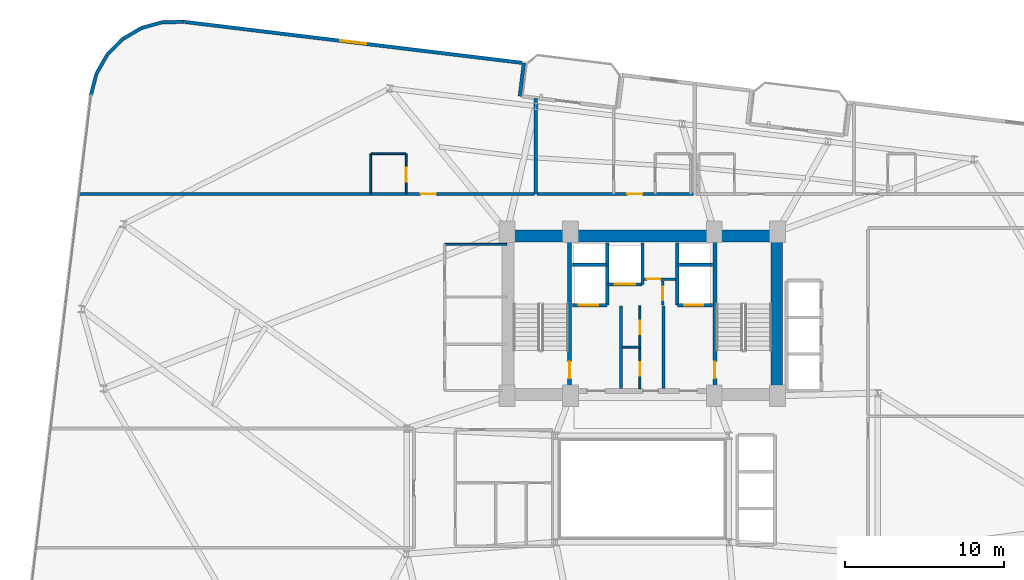
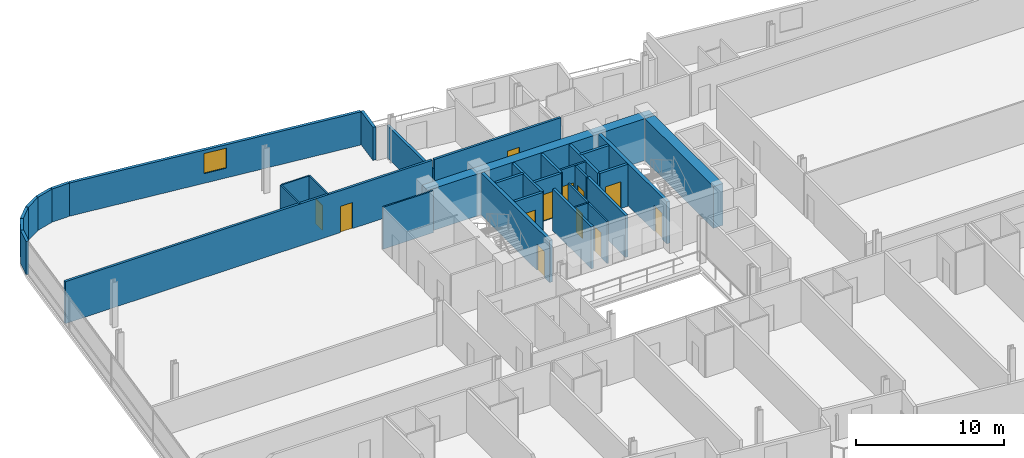
# One storey, part 22 of 26: 33 walls, 12 doors, 1 window, 13 openings.
"""IFC4 building model written with IfcOpenShell, lengths in metres."""

from ifc_helpers import new_model, si_unit, direction, frame, frame_2d, origin, place, context, subcontext, project, spatial, rectangle, extrude, material, layer, layer_set, type_object, element, fill, save


model = new_model("IFC4")

# Units and contexts
model_context = context("Model", 3, precision=1e-05, world=origin(), true_north=direction((0.0, 1.0)))
body_context = subcontext(model_context, "Body", "Model", "MODEL_VIEW")
ifc_project = project(units=[si_unit("LENGTHUNIT", "METRE"), si_unit("AREAUNIT", "SQUARE_METRE"), si_unit("VOLUMEUNIT", "CUBIC_METRE"), si_unit("PLANEANGLEUNIT", "RADIAN"), si_unit("MASSUNIT", "GRAM", prefix="KILO")], contexts=[model_context])

# Site, building, storey
site_placement = place(None, origin())
site = spatial("IfcSite", under=ifc_project, at=site_placement, CompositionType="ELEMENT")
building_placement = place(site_placement, origin())
building = spatial("IfcBuilding", under=site, at=building_placement, Name="Varnelok Gate Tower", CompositionType="ELEMENT")
storey_placement = place(building_placement, frame((0.0, 0.0, 125.39990234375)))
storey = spatial("IfcBuildingStorey", under=building, at=storey_placement, Name="L31", CompositionType="ELEMENT", Elevation=125.39990234375)

# Wall
ifc_material_1 = material(Name="Concrete C45/55", Category="concrete")
ifc_layer_1 = layer(ifc_material_1, 0.219970703125)
ifc_layer_set_1 = layer_set([ifc_layer_1], Name="Concrete C45/55")
wall_type_1 = type_object("IfcWallType", Name="EW-BALC-220", PredefinedType="SOLIDWALL", material=ifc_layer_set_1)
wall_1_placement = place(storey_placement, frame((31.50390625, 47.568115234375, 0.0), z_axis=(0.0, 0.0, 1.0), x_axis=(0.120341784665, 0.992732519294, 0.0)))
element("IfcWall", 1, at=wall_1_placement, inside=storey, type_object=wall_type_1, Name="L31 Perimeter Facade Closure Wall 31", PredefinedType="SOLIDWALL", context=body_context, shape_type="SweptSolid", body=[
    extrude(rectangle(XDim=2.099853515625, YDim=0.219970703125, at=frame_2d((1.0498046875, 0.0))), origin(), (0.0, 0.0, 1.0), 2.72998046875),
])

# Wall, opening, window
wall_2_placement = place(storey_placement, frame((31.632568359375, 49.667724609375, 0.0), z_axis=(0.0, 0.0, 1.0), x_axis=(-0.992731670483, 0.120348786531, 0.0)))
wall_2 = element("IfcWall", 2, at=wall_2_placement, inside=storey, type_object=wall_type_1, Name="L31 Perimeter Facade Closure Wall 32", PredefinedType="SOLIDWALL", context=body_context, shape_type="SweptSolid", body=[
    extrude(rectangle(XDim=21.34716796875, YDim=0.219970703125, at=frame_2d((10.673583984375, 0.0))), origin(), (0.0, 0.0, 1.0), 2.72998046875),
])
opening_1_placement = place(wall_2_placement, frame((9.8486328125, 0.0, 0.800048828125)))
opening_1 = element("IfcOpeningElement", 3, at=opening_1_placement, cuts=wall_2, Name="Opening WN3", PredefinedType="OPENING", context=body_context, shape_type="SweptSolid", body=[
    extrude(rectangle(XDim=1.64990234375, YDim=1.64990234375, at=frame_2d((0.824951171875, 0.824951171875))), frame((0.0, 0.119873046875, 0.0), z_axis=(0.0, -1.0, 0.0), x_axis=(1.0, 0.0, 0.0)), (0.0, 0.0, 1.0), 0.239990234375),
])
ifc_material_2 = material(Name="Low-E Laminated Double Glazing IGU", Category="glass")
window_type = type_object("IfcWindowType", Name="WN-HTL-1650", PartitioningType="SINGLE_PANEL", PredefinedType="WINDOW", material=ifc_material_2)
window_placement = place(opening_1_placement, origin())
window = element("IfcWindow", 4, at=window_placement, inside=storey, type_object=window_type, Name="L31 Perimeter Vision Window 32", OverallHeight=1.64990234375, OverallWidth=1.64990234375, PartitioningType="SINGLE_PANEL", PredefinedType="WINDOW", context=body_context, shape_type="SweptSolid", body=[
    extrude(rectangle(XDim=1.64990234375, YDim=1.64990234375, at=frame_2d((0.824951171875, 0.824951171875))), frame((0.0, 0.030029296875, 0.0), z_axis=(0.0, -1.0, 0.0), x_axis=(1.0, 0.0, 0.0)), (0.0, 0.0, 1.0), 0.06005859375),
])
fill(opening_1, window)

# Walls
wall_3_placement = place(storey_placement, frame((10.41552734375, 52.236572265625, 0.0), z_axis=(0.0, 0.0, 1.0), x_axis=(-0.999947718056, -0.010225514878, 0.0)))
element("IfcWall", 5, at=wall_3_placement, inside=storey, type_object=wall_type_1, Name="L31 Perimeter Facade Closure Wall 33", PredefinedType="SOLIDWALL", context=body_context, shape_type="SweptSolid", body=[
    extrude(rectangle(XDim=1.36083984375, YDim=0.219970703125, at=frame_2d((0.680419921875, 0.0))), origin(), (0.0, 0.0, 1.0), 2.72998046875),
])
for number, where, z_axis, x_axis, name in (
    (6, (9.030517578125, 52.2158203125, 0.0), (0.0, 0.0, 1.0), (-0.963227802828, -0.268686061898, 0.0), "L31 Perimeter Facade Closure Wall 34"),
    (7, (7.70556640625, 51.839599609375, 0.0), (0.0, 0.0, 1.0), (-0.860739665837, -0.509045408244, 0.0), "L31 Perimeter Facade Closure Wall 35"),
):
    element("IfcWall", number, at=place(storey_placement, frame(where, z_axis=z_axis, x_axis=x_axis)), inside=storey, type_object=wall_type_1, Name=name, PredefinedType="SOLIDWALL", context=body_context, shape_type="SweptSolid", body=[
        extrude(rectangle(XDim=1.35302734375, YDim=0.219970703125, at=frame_2d((0.676513671875, 0.0))), origin(), (0.0, 0.0, 1.0), 2.72998046875),
    ])
wall_4_placement = place(storey_placement, frame((6.5234375, 51.13330078125, 0.0), z_axis=(0.0, 0.0, 1.0), x_axis=(-0.699762925925, -0.714375144795, 0.0)))
element("IfcWall", 8, at=wall_4_placement, inside=storey, type_object=wall_type_1, Name="L31 Perimeter Facade Closure Wall 36", PredefinedType="SOLIDWALL", context=body_context, shape_type="SweptSolid", body=[
    extrude(rectangle(XDim=1.353271484375, YDim=0.219970703125, at=frame_2d((0.6767578125, 0.0))), origin(), (0.0, 0.0, 1.0), 2.72998046875),
])
wall_5_placement = place(storey_placement, frame((5.564208984375, 50.144775390625, 0.0), z_axis=(0.0, 0.0, 1.0), x_axis=(-0.491117621399, -0.871093268227, 0.0)))
element("IfcWall", 9, at=wall_5_placement, inside=storey, type_object=wall_type_1, Name="L31 Perimeter Facade Closure Wall 37", PredefinedType="SOLIDWALL", context=body_context, shape_type="SweptSolid", body=[
    extrude(rectangle(XDim=1.35302734375, YDim=0.219970703125, at=frame_2d((0.676513671875, 0.0))), origin(), (0.0, 0.0, 1.0), 2.72998046875),
])
wall_6_placement = place(storey_placement, frame((4.8935546875, 48.94189453125, 0.0), z_axis=(0.0, 0.0, 1.0), x_axis=(-0.248857256909, -0.968540172468, 0.0)))
element("IfcWall", 10, at=wall_6_placement, inside=storey, type_object=wall_type_1, Name="L31 Perimeter Facade Closure Wall 38", PredefinedType="SOLIDWALL", context=body_context, shape_type="SweptSolid", body=[
    extrude(rectangle(XDim=1.352783203125, YDim=0.219970703125, at=frame_2d((0.67626953125, 0.0))), origin(), (0.0, 0.0, 1.0), 2.72998046875),
])

# Wall, opening, door
ifc_material_3 = material(Name="Gypsum Plasterboard Acoustic Partition", Category="gypsum")
ifc_layer_2 = layer(ifc_material_3, 0.179931640625)
ifc_layer_set_2 = layer_set([ifc_layer_2], Name="Gypsum Plasterboard Acoustic Partition")
wall_type_2 = type_object("IfcWallType", Name="PW-CORR-180", PredefinedType="PARTITIONING", material=ifc_layer_set_2)
wall_7_placement = place(storey_placement, frame((3.864013671875, 41.429931640625, 0.0), z_axis=(0.0, 0.0, 1.0), x_axis=(1.0, 0.0, 0.0)))
wall_7 = element("IfcWall", 11, at=wall_7_placement, inside=storey, type_object=wall_type_2, Name="Interior Partition", PredefinedType="PARTITIONING", context=body_context, shape_type="SweptSolid", body=[
    extrude(rectangle(XDim=28.555908203125, YDim=0.179931640625, at=frame_2d((14.27783203125, 0.0))), origin(), (0.0, 0.0, 1.0), 3.4501953125),
])
opening_2_placement = place(wall_7_placement, frame((21.4091796875, 0.0, 0.0)))
opening_2 = element("IfcOpeningElement", 12, at=opening_2_placement, cuts=wall_7, Name="Opening D-HT", PredefinedType="OPENING", context=body_context, shape_type="SweptSolid", body=[
    extrude(rectangle(XDim=0.949951171875, YDim=2.14990234375, at=frame_2d((0.47509765625, 1.074951171875))), frame((0.0, 0.099853515625, 0.0), z_axis=(0.0, -1.0, 0.0), x_axis=(1.0, 0.0, 0.0)), (0.0, 0.0, 1.0), 0.199951171875),
])
ifc_material_4 = material(Name="Engineered Hardwood Timber", Category="wood")
door_type_1 = type_object("IfcDoorType", Name="DR-HTL-950", OperationType="NOTDEFINED", PredefinedType="DOOR", material=ifc_material_4)
door_1_placement = place(opening_2_placement, origin())
door_1 = element("IfcDoor", 13, at=door_1_placement, inside=storey, type_object=door_type_1, Name="L31 Guest Room 10 Entrance Door", OperationType="SINGLE_SWING_LEFT", OverallHeight=2.14990234375, OverallWidth=0.949951171875, PredefinedType="DOOR", context=body_context, shape_type="SweptSolid", body=[
    extrude(rectangle(XDim=0.949951171875, YDim=2.14990234375, at=frame_2d((0.47509765625, 1.074951171875))), frame((0.0, 0.02490234375, 0.0), z_axis=(0.0, -1.0, 0.0), x_axis=(1.0, 0.0, 0.0)), (0.0, 0.0, 1.0), 0.050048828125),
])
fill(opening_2, door_1)

wall_8_placement = place(storey_placement, frame((32.580078125, 41.429931640625, 0.0), z_axis=(0.0, 0.0, 1.0), x_axis=(1.0, 0.0, 0.0)))
wall_8 = element("IfcWall", 14, at=wall_8_placement, inside=storey, type_object=wall_type_2, Name="Interior Partition", PredefinedType="PARTITIONING", context=body_context, shape_type="SweptSolid", body=[
    extrude(rectangle(XDim=9.83984375, YDim=0.179931640625, at=frame_2d((4.919921875, 0.0))), origin(), (0.0, 0.0, 1.0), 3.4501953125),
])
opening_3_placement = place(wall_8_placement, frame((5.679931640625, 0.0, 0.0)))
opening_3 = element("IfcOpeningElement", 15, at=opening_3_placement, cuts=wall_8, Name="Opening D-HT", PredefinedType="OPENING", context=body_context, shape_type="SweptSolid", body=[
    extrude(rectangle(XDim=0.949951171875, YDim=2.14990234375, at=frame_2d((0.47509765625, 1.074951171875))), frame((0.0, 0.099853515625, 0.0), z_axis=(0.0, -1.0, 0.0), x_axis=(1.0, 0.0, 0.0)), (0.0, 0.0, 1.0), 0.199951171875),
])
door_2_placement = place(opening_3_placement, origin())
door_2 = element("IfcDoor", 16, at=door_2_placement, inside=storey, type_object=door_type_1, Name="L31 Guest Room 11 Entrance Door", OperationType="SINGLE_SWING_RIGHT", OverallHeight=2.14990234375, OverallWidth=0.949951171875, PredefinedType="DOOR", context=body_context, shape_type="SweptSolid", body=[
    extrude(rectangle(XDim=0.949951171875, YDim=2.14990234375, at=frame_2d((0.47509765625, 1.074951171875))), frame((0.0, 0.02490234375, 0.0), z_axis=(0.0, -1.0, 0.0), x_axis=(1.0, 0.0, 0.0)), (0.0, 0.0, 1.0), 0.050048828125),
])
fill(opening_3, door_2)

# Wall
ifc_layer_3 = layer(ifc_material_3, 0.114990234375)
ifc_layer_set_3 = layer_set([ifc_layer_3], Name="Gypsum Plasterboard Acoustic Partition")
wall_type_3 = type_object("IfcWallType", Name="PW-ENS-125", PredefinedType="PARTITIONING", material=ifc_layer_set_3)
wall_9_placement = place(storey_placement, frame((22.179931640625, 43.949951171875, 0.0), z_axis=(0.0, 0.0, 1.0), x_axis=(1.0, 0.0, 0.0)))
element("IfcWall", 17, at=wall_9_placement, inside=storey, type_object=wall_type_3, Name="Interior Partition", PredefinedType="PARTITIONING", context=body_context, shape_type="SweptSolid", body=[
    extrude(rectangle(XDim=2.150146484375, YDim=0.114990234375, at=frame_2d((1.0751953125, 0.0))), origin(), (0.0, 0.0, 1.0), 3.4501953125),
])

# Wall, opening, door
wall_10_placement = place(storey_placement, frame((24.3701171875, 41.429931640625, 0.0), z_axis=(0.0, 0.0, 1.0), x_axis=(0.0, 1.0, 0.0)))
wall_10 = element("IfcWall", 18, at=wall_10_placement, inside=storey, type_object=wall_type_3, Name="Interior Partition", PredefinedType="PARTITIONING", context=body_context, shape_type="SweptSolid", body=[
    extrude(rectangle(XDim=2.52001953125, YDim=0.114990234375, at=frame_2d((1.260009765625, 0.0))), origin(), (0.0, 0.0, 1.0), 3.4501953125),
])
opening_4_placement = place(wall_10_placement, frame((0.760009765625, 0.0, 0.0)))
opening_4 = element("IfcOpeningElement", 19, at=opening_4_placement, cuts=wall_10, Name="Opening D-WC", PredefinedType="OPENING", context=body_context, shape_type="SweptSolid", body=[
    extrude(rectangle(XDim=0.89990234375, YDim=2.050048828125, at=frame_2d((0.449951171875, 1.02490234375))), frame((0.0, 0.0673828125, 0.0), z_axis=(0.0, -1.0, 0.0), x_axis=(1.0, 0.0, 0.0)), (0.0, 0.0, 1.0), 0.135009765625),
])
door_type_2 = type_object("IfcDoorType", Name="DR-BATH-900", OperationType="NOTDEFINED", PredefinedType="DOOR", material=ifc_material_4)
door_3_placement = place(opening_4_placement, origin())
door_3 = element("IfcDoor", 20, at=door_3_placement, inside=storey, type_object=door_type_2, Name="L31 North En-Suite 10 Door", OperationType="SINGLE_SWING_RIGHT", OverallHeight=2.050048828125, OverallWidth=0.89990234375, PredefinedType="DOOR", context=body_context, shape_type="SweptSolid", body=[
    extrude(rectangle(XDim=0.89990234375, YDim=2.050048828125, at=frame_2d((0.449951171875, 1.02490234375))), frame((0.0, 0.02490234375, 0.0), z_axis=(0.0, -1.0, 0.0), x_axis=(1.0, 0.0, 0.0)), (0.0, 0.0, 1.0), 0.050048828125),
])
fill(opening_4, door_3)

# Walls
wall_11_placement = place(storey_placement, frame((22.139892578125, 41.429931640625, 0.0), z_axis=(0.0, 0.0, 1.0), x_axis=(0.0, 1.0, 0.0)))
element("IfcWall", 21, at=wall_11_placement, inside=storey, type_object=wall_type_3, Name="Interior Partition", PredefinedType="PARTITIONING", context=body_context, shape_type="SweptSolid", body=[
    extrude(rectangle(XDim=2.52001953125, YDim=0.114990234375, at=frame_2d((1.260009765625, 0.0))), origin(), (0.0, 0.0, 1.0), 3.4501953125),
])
wall_12_placement = place(storey_placement, frame((26.780029296875, 38.260009765625, 0.0), z_axis=(0.0, 0.0, 1.0), x_axis=(1.0, 0.0, 0.0)))
element("IfcWall", 22, at=wall_12_placement, inside=storey, type_object=wall_type_3, Name="Interior Partition", PredefinedType="PARTITIONING", context=body_context, shape_type="SweptSolid", body=[
    extrude(rectangle(XDim=3.89990234375, YDim=0.114990234375, at=frame_2d((1.949951171875, 0.0))), origin(), (0.0, 0.0, 1.0), 3.4501953125),
])
ifc_layer_4 = layer(ifc_material_3, 0.125)
ifc_layer_set_4 = layer_set([ifc_layer_4], Name="Gypsum Plasterboard Acoustic Partition")
wall_type_4 = type_object("IfcWallType", Name="PW-PART-125", PredefinedType="PARTITIONING", material=ifc_layer_set_4)
wall_13_placement = place(storey_placement, frame((37.9599609375, 31.800048828125, 0.0), z_axis=(0.0, 0.0, 1.0), x_axis=(1.0, 0.0, 0.0)))
element("IfcWall", 23, at=wall_13_placement, inside=storey, type_object=wall_type_4, Name="Interior Partition", PredefinedType="PARTITIONING", context=body_context, shape_type="SweptSolid", body=[
    extrude(rectangle(XDim=1.090087890625, YDim=0.125, at=frame_2d((0.544921875, 0.0))), origin(), (0.0, 0.0, 1.0), 3.4501953125),
])

# Wall, openings, doors
wall_14_placement = place(storey_placement, frame((39.050048828125, 29.199951171875, 0.0), z_axis=(0.0, 0.0, 1.0), x_axis=(0.0, 1.0, 0.0)))
wall_14 = element("IfcWall", 24, at=wall_14_placement, inside=storey, type_object=wall_type_4, Name="Interior Partition", PredefinedType="PARTITIONING", context=body_context, shape_type="SweptSolid", body=[
    extrude(rectangle(XDim=5.219970703125, YDim=0.125, at=frame_2d((2.60986328125, 0.0))), origin(), (0.0, 0.0, 1.0), 3.4501953125),
])
opening_5_placement = place(wall_14_placement, frame((0.800048828125, 0.0, 0.0)))
opening_5 = element("IfcOpeningElement", 25, at=opening_5_placement, cuts=wall_14, Name="Opening D-RS", PredefinedType="OPENING", context=body_context, shape_type="SweptSolid", body=[
    extrude(rectangle(XDim=0.85009765625, YDim=2.050048828125, at=frame_2d((0.425048828125, 1.02490234375))), frame((0.0, 0.072509765625, 0.0), z_axis=(0.0, -1.0, 0.0), x_axis=(1.0, 0.0, 0.0)), (0.0, 0.0, 1.0), 0.14501953125),
])
opening_6_placement = place(wall_14_placement, frame((3.39990234375, 0.0, 0.0)))
opening_6 = element("IfcOpeningElement", 26, at=opening_6_placement, cuts=wall_14, Name="Opening D-RS", PredefinedType="OPENING", context=body_context, shape_type="SweptSolid", body=[
    extrude(rectangle(XDim=0.85009765625, YDim=2.050048828125, at=frame_2d((0.425048828125, 1.02490234375))), frame((0.0, 0.072509765625, 0.0), z_axis=(0.0, -1.0, 0.0), x_axis=(1.0, 0.0, 0.0)), (0.0, 0.0, 1.0), 0.14501953125),
])
ifc_material_5 = material(Name="Galvanized Steel Grade S350GD", Category="steel")
door_type_3 = type_object("IfcDoorType", Name="DR-RISER-850", OperationType="NOTDEFINED", PredefinedType="DOOR", material=ifc_material_5)
door_4_placement = place(opening_5_placement, origin())
door_4 = element("IfcDoor", 27, at=door_4_placement, inside=storey, type_object=door_type_3, Name="L31 Housekeeping Linen Door", OperationType="SINGLE_SWING_LEFT", OverallHeight=2.050048828125, OverallWidth=0.85009765625, PredefinedType="DOOR", context=body_context, shape_type="SweptSolid", body=[
    extrude(rectangle(XDim=0.85009765625, YDim=2.050048828125, at=frame_2d((0.425048828125, 1.02490234375))), frame((0.0, 0.02490234375, 0.0), z_axis=(0.0, -1.0, 0.0), x_axis=(1.0, 0.0, 0.0)), (0.0, 0.0, 1.0), 0.050048828125),
])
fill(opening_5, door_4)
door_5_placement = place(opening_6_placement, origin())
door_5 = element("IfcDoor", 28, at=door_5_placement, inside=storey, type_object=door_type_3, Name="L31 Janitor Sink Door", OperationType="SINGLE_SWING_RIGHT", OverallHeight=2.050048828125, OverallWidth=0.85009765625, PredefinedType="DOOR", context=body_context, shape_type="SweptSolid", body=[
    extrude(rectangle(XDim=0.85009765625, YDim=2.050048828125, at=frame_2d((0.425048828125, 1.02490234375))), frame((0.0, 0.02490234375, 0.0), z_axis=(0.0, -1.0, 0.0), x_axis=(1.0, 0.0, 0.0)), (0.0, 0.0, 1.0), 0.050048828125),
])
fill(opening_6, door_5)

# Wall, opening, door
ifc_layer_5 = layer(ifc_material_3, 0.14990234375)
ifc_layer_set_5 = layer_set([ifc_layer_5], Name="Gypsum Plasterboard Acoustic Partition")
wall_type_5 = type_object("IfcWallType", Name="PW-PART-150", PredefinedType="PARTITIONING", material=ifc_layer_set_5)
wall_15_placement = place(storey_placement, frame((39.300048828125, 36.080078125, 0.0), z_axis=(0.0, 0.0, 1.0), x_axis=(1.0, 0.0, 0.0)))
wall_15 = element("IfcWall", 29, at=wall_15_placement, inside=storey, type_object=wall_type_5, Name="L31 Electrical Closet South Wall", PredefinedType="PARTITIONING", context=body_context, shape_type="SweptSolid", body=[
    extrude(rectangle(XDim=2.02001953125, YDim=0.14990234375, at=frame_2d((1.010009765625, 0.0))), origin(), (0.0, 0.0, 1.0), 3.4501953125),
])
opening_7_placement = place(wall_15_placement, frame((0.179931640625, 0.0, 0.0)))
opening_7 = element("IfcOpeningElement", 30, at=opening_7_placement, cuts=wall_15, Name="Opening D-RS", PredefinedType="OPENING", context=body_context, shape_type="SweptSolid", body=[
    extrude(rectangle(XDim=0.85009765625, YDim=2.050048828125, at=frame_2d((0.425048828125, 1.02490234375))), frame((0.0, 0.0849609375, 0.0), z_axis=(0.0, -1.0, 0.0), x_axis=(1.0, 0.0, 0.0)), (0.0, 0.0, 1.0), 0.169921875),
])
door_6_placement = place(opening_7_placement, origin())
door_6 = element("IfcDoor", 31, at=door_6_placement, inside=storey, type_object=door_type_3, Name="L31 Electrical Closet Door", OperationType="SINGLE_SWING_RIGHT", OverallHeight=2.050048828125, OverallWidth=0.85009765625, PredefinedType="DOOR", context=body_context, shape_type="SweptSolid", body=[
    extrude(rectangle(XDim=0.85009765625, YDim=2.050048828125, at=frame_2d((0.425048828125, 1.02490234375))), frame((0.0, 0.02490234375, 0.0), z_axis=(0.0, -1.0, 0.0), x_axis=(1.0, 0.0, 0.0)), (0.0, 0.0, 1.0), 0.050048828125),
])
fill(opening_7, door_6)

wall_16_placement = place(storey_placement, frame((40.47998046875, 34.43994140625, 0.0), z_axis=(0.0, 0.0, 1.0), x_axis=(0.0, 1.0, 0.0)))
wall_16 = element("IfcWall", 32, at=wall_16_placement, inside=storey, type_object=wall_type_5, Name="L31 Telecoms Closet West Wall", PredefinedType="PARTITIONING", context=body_context, shape_type="SweptSolid", body=[
    extrude(rectangle(XDim=1.52001953125, YDim=0.14990234375, at=frame_2d((0.760009765625, 0.0))), origin(), (0.0, 0.0, 1.0), 3.4501953125),
])
opening_8_placement = place(wall_16_placement, frame((0.320068359375, 0.0, 0.0)))
opening_8 = element("IfcOpeningElement", 33, at=opening_8_placement, cuts=wall_16, Name="Opening D-RS", PredefinedType="OPENING", context=body_context, shape_type="SweptSolid", body=[
    extrude(rectangle(XDim=0.85009765625, YDim=2.050048828125, at=frame_2d((0.425048828125, 1.02490234375))), frame((0.0, 0.0849609375, 0.0), z_axis=(0.0, -1.0, 0.0), x_axis=(1.0, 0.0, 0.0)), (0.0, 0.0, 1.0), 0.169921875),
])
door_7_placement = place(opening_8_placement, origin())
door_7 = element("IfcDoor", 34, at=door_7_placement, inside=storey, type_object=door_type_3, Name="L31 Telecoms Closet Door", OperationType="SINGLE_SWING_LEFT", OverallHeight=2.050048828125, OverallWidth=0.85009765625, PredefinedType="DOOR", context=body_context, shape_type="SweptSolid", body=[
    extrude(rectangle(XDim=0.85009765625, YDim=2.050048828125, at=frame_2d((0.425048828125, 1.02490234375))), frame((0.0, 0.02490234375, 0.0), z_axis=(0.0, -1.0, 0.0), x_axis=(1.0, 0.0, 0.0)), (0.0, 0.0, 1.0), 0.050048828125),
])
fill(opening_8, door_7)

# Walls
ifc_layer_6 = layer(ifc_material_3, 0.205078125)
ifc_layer_set_6 = layer_set([ifc_layer_6], Name="Gypsum Plasterboard Acoustic Partition")
wall_type_6 = type_object("IfcWallType", Name="PW-PARTY-200", PredefinedType="PARTITIONING", material=ifc_layer_set_6)
wall_17_placement = place(storey_placement, frame((32.5, 41.429931640625, 0.0), z_axis=(0.0, 0.0, 1.0), x_axis=(0.0, 1.0, 0.0)))
element("IfcWall", 35, at=wall_17_placement, inside=storey, type_object=wall_type_6, Name="L31 North Party Wall 1", PredefinedType="PARTITIONING", context=body_context, shape_type="SweptSolid", body=[
    extrude(rectangle(XDim=5.9970703125, YDim=0.205078125, at=frame_2d((2.99853515625, 0.0))), origin(), (0.0, 0.0, 1.0), 2.662109375),
])
ifc_material_6 = material(Name="Concrete C35/45", Category="concrete")
ifc_layer_7 = layer(ifc_material_6, 0.199951171875)
ifc_layer_set_7 = layer_set([ifc_layer_7], Name="Concrete C35/45")
wall_type_7 = type_object("IfcWallType", Name="PW-SHAFT-200", PredefinedType="PARTITIONING", material=ifc_layer_set_7)
for number, where, z_axis, x_axis, name in (
    (36, (37.860107421875, 29.199951171875, 0.0), (0.0, 0.0, 1.0), (0.0, 1.0, 0.0), "L31 West FF Lobby Rated Wall"),
    (37, (40.5400390625, 29.199951171875, 0.0), (0.0, 0.0, 1.0), (0.0, 1.0, 0.0), "L31 East FF Lobby Rated Wall"),
):
    element("IfcWall", number, at=place(storey_placement, frame(where, z_axis=z_axis, x_axis=x_axis)), inside=storey, type_object=wall_type_7, Name=name, PredefinedType="PARTITIONING", context=body_context, shape_type="SweptSolid", body=[
        extrude(rectangle(XDim=5.179931640625, YDim=0.199951171875, at=frame_2d((2.58984375, 0.0))), origin(), (0.0, 0.0, 1.0), 3.4501953125),
    ])

# Wall, opening, door
wall_18_placement = place(storey_placement, frame((34.800048828125, 34.43994140625, 0.0), z_axis=(0.0, 0.0, 1.0), x_axis=(1.0, 0.0, 0.0)))
wall_18 = element("IfcWall", 38, at=wall_18_placement, inside=storey, type_object=wall_type_7, Name="L31 FF1 Shaft Front Wall", PredefinedType="PARTITIONING", context=body_context, shape_type="SweptSolid", body=[
    extrude(rectangle(XDim=2.179931640625, YDim=0.199951171875, at=frame_2d((1.08984375, 0.0))), origin(), (0.0, 0.0, 1.0), 3.4501953125),
])
opening_9_placement = place(wall_18_placement, frame((0.419921875, 0.0, 0.0)))
opening_9 = element("IfcOpeningElement", 39, at=opening_9_placement, cuts=wall_18, Name="Opening LD-FF1", PredefinedType="OPENING", context=body_context, shape_type="SweptSolid", body=[
    extrude(rectangle(XDim=1.199951171875, YDim=2.199951171875, at=frame_2d((0.60009765625, 1.10009765625))), frame((0.0, 0.10986328125, 0.0), z_axis=(0.0, -1.0, 0.0), x_axis=(1.0, 0.0, 0.0)), (0.0, 0.0, 1.0), 0.219970703125),
])
door_type_4 = type_object("IfcDoorType", Name="DR-LIFT-FF1200", OperationType="SLIDING_TO_LEFT", PredefinedType="DOOR", material=ifc_material_5)
door_8_placement = place(opening_9_placement, origin())
door_8 = element("IfcDoor", 40, at=door_8_placement, inside=storey, type_object=door_type_4, Name="L31 Firefighting Lift Landing Door LD-FF1", OperationType="SLIDING_TO_LEFT", OverallHeight=2.199951171875, OverallWidth=1.199951171875, PredefinedType="DOOR", context=body_context, shape_type="SweptSolid", body=[
    extrude(rectangle(XDim=1.199951171875, YDim=2.199951171875, at=frame_2d((0.60009765625, 1.10009765625))), frame((0.0, 0.02490234375, 0.0), z_axis=(0.0, -1.0, 0.0), x_axis=(1.0, 0.0, 0.0)), (0.0, 0.0, 1.0), 0.050048828125),
])
fill(opening_9, door_8)

# Walls
wall_19_placement = place(storey_placement, frame((34.800048828125, 36.97998046875, 0.0), z_axis=(0.0, 0.0, 1.0), x_axis=(1.0, 0.0, 0.0)))
element("IfcWall", 41, at=wall_19_placement, inside=storey, type_object=wall_type_7, Name="L31 FF1 Shaft North Wall", PredefinedType="PARTITIONING", context=body_context, shape_type="SweptSolid", body=[
    extrude(rectangle(XDim=2.179931640625, YDim=0.199951171875, at=frame_2d((1.08984375, 0.0))), origin(), (0.0, 0.0, 1.0), 3.4501953125),
])
wall_20_placement = place(storey_placement, frame((37.0, 34.43994140625, 0.0), z_axis=(0.0, 0.0, 1.0), x_axis=(0.0, 1.0, 0.0)))
element("IfcWall", 42, at=wall_20_placement, inside=storey, type_object=wall_type_7, Name="L31 FF1 Shaft Side Wall", PredefinedType="PARTITIONING", context=body_context, shape_type="SweptSolid", body=[
    extrude(rectangle(XDim=3.900146484375, YDim=0.199951171875, at=frame_2d((1.9501953125, 0.0))), origin(), (0.0, 0.0, 1.0), 3.4501953125),
])

# Wall, opening, door
wall_21_placement = place(storey_placement, frame((41.419921875, 34.43994140625, 0.0), z_axis=(0.0, 0.0, 1.0), x_axis=(1.0, 0.0, 0.0)))
wall_21 = element("IfcWall", 43, at=wall_21_placement, inside=storey, type_object=wall_type_7, Name="L31 FF2 Shaft Front Wall", PredefinedType="PARTITIONING", context=body_context, shape_type="SweptSolid", body=[
    extrude(rectangle(XDim=2.18017578125, YDim=0.199951171875, at=frame_2d((1.090087890625, 0.0))), origin(), (0.0, 0.0, 1.0), 3.4501953125),
])
opening_10_placement = place(wall_21_placement, frame((0.419921875, 0.0, 0.0)))
opening_10 = element("IfcOpeningElement", 44, at=opening_10_placement, cuts=wall_21, Name="Opening LD-FF2", PredefinedType="OPENING", context=body_context, shape_type="SweptSolid", body=[
    extrude(rectangle(XDim=1.199951171875, YDim=2.199951171875, at=frame_2d((0.60009765625, 1.10009765625))), frame((0.0, 0.10986328125, 0.0), z_axis=(0.0, -1.0, 0.0), x_axis=(1.0, 0.0, 0.0)), (0.0, 0.0, 1.0), 0.219970703125),
])
door_9_placement = place(opening_10_placement, origin())
door_9 = element("IfcDoor", 45, at=door_9_placement, inside=storey, type_object=door_type_4, Name="L31 Firefighting Lift Landing Door LD-FF2", OperationType="SLIDING_TO_LEFT", OverallHeight=2.199951171875, OverallWidth=1.199951171875, PredefinedType="DOOR", context=body_context, shape_type="SweptSolid", body=[
    extrude(rectangle(XDim=1.199951171875, YDim=2.199951171875, at=frame_2d((0.60009765625, 1.10009765625))), frame((0.0, 0.02490234375, 0.0), z_axis=(0.0, -1.0, 0.0), x_axis=(1.0, 0.0, 0.0)), (0.0, 0.0, 1.0), 0.050048828125),
])
fill(opening_10, door_9)

# Walls
wall_22_placement = place(storey_placement, frame((41.419921875, 36.97998046875, 0.0), z_axis=(0.0, 0.0, 1.0), x_axis=(1.0, 0.0, 0.0)))
element("IfcWall", 46, at=wall_22_placement, inside=storey, type_object=wall_type_7, Name="L31 FF2 Shaft North Wall", PredefinedType="PARTITIONING", context=body_context, shape_type="SweptSolid", body=[
    extrude(rectangle(XDim=2.18017578125, YDim=0.199951171875, at=frame_2d((1.090087890625, 0.0))), origin(), (0.0, 0.0, 1.0), 3.4501953125),
])
wall_23_placement = place(storey_placement, frame((41.39990234375, 34.43994140625, 0.0), z_axis=(0.0, 0.0, 1.0), x_axis=(0.0, 1.0, 0.0)))
element("IfcWall", 47, at=wall_23_placement, inside=storey, type_object=wall_type_7, Name="L31 FF2 Shaft Side Wall", PredefinedType="PARTITIONING", context=body_context, shape_type="SweptSolid", body=[
    extrude(rectangle(XDim=3.900146484375, YDim=0.199951171875, at=frame_2d((1.9501953125, 0.0))), origin(), (0.0, 0.0, 1.0), 3.4501953125),
])

# Wall, opening, door
wall_24_placement = place(storey_placement, frame((37.06005859375, 35.75, 0.0), z_axis=(0.0, 0.0, 1.0), x_axis=(1.0, 0.0, 0.0)))
wall_24 = element("IfcWall", 48, at=wall_24_placement, inside=storey, type_object=wall_type_7, Name="L31 SV1 Shaft Front Wall", PredefinedType="PARTITIONING", context=body_context, shape_type="SweptSolid", body=[
    extrude(rectangle(XDim=2.119873046875, YDim=0.199951171875, at=frame_2d((1.06005859375, 0.0))), origin(), (0.0, 0.0, 1.0), 3.4501953125),
])
opening_11_placement = place(wall_24_placement, frame((0.39990234375, 0.0, 0.0)))
opening_11 = element("IfcOpeningElement", 49, at=opening_11_placement, cuts=wall_24, Name="Opening LD-SV1", PredefinedType="OPENING", context=body_context, shape_type="SweptSolid", body=[
    extrude(rectangle(XDim=1.300048828125, YDim=2.199951171875, at=frame_2d((0.64990234375, 1.10009765625))), frame((0.0, 0.10986328125, 0.0), z_axis=(0.0, -1.0, 0.0), x_axis=(1.0, 0.0, 0.0)), (0.0, 0.0, 1.0), 0.219970703125),
])
door_type_5 = type_object("IfcDoorType", Name="DR-LIFT-SV1300", OperationType="SLIDING_TO_LEFT", PredefinedType="DOOR", material=ifc_material_5)
door_10_placement = place(opening_11_placement, origin())
door_10 = element("IfcDoor", 50, at=door_10_placement, inside=storey, type_object=door_type_5, Name="L31 Service Lift Landing Door LD-SV1", OperationType="SLIDING_TO_LEFT", OverallHeight=2.199951171875, OverallWidth=1.300048828125, PredefinedType="DOOR", context=body_context, shape_type="SweptSolid", body=[
    extrude(rectangle(XDim=1.300048828125, YDim=2.199951171875, at=frame_2d((0.64990234375, 1.10009765625))), frame((0.0, 0.02490234375, 0.0), z_axis=(0.0, -1.0, 0.0), x_axis=(1.0, 0.0, 0.0)), (0.0, 0.0, 1.0), 0.050048828125),
])
fill(opening_11, door_10)

# Walls
wall_25_placement = place(storey_placement, frame((39.219970703125, 35.75, 0.0), z_axis=(0.0, 0.0, 1.0), x_axis=(0.0, 1.0, 0.0)))
element("IfcWall", 51, at=wall_25_placement, inside=storey, type_object=wall_type_7, Name="L31 SV1 Shaft East Wall", PredefinedType="PARTITIONING", context=body_context, shape_type="SweptSolid", body=[
    extrude(rectangle(XDim=2.590087890625, YDim=0.199951171875, at=frame_2d((1.294921875, 0.0))), origin(), (0.0, 0.0, 1.0), 3.4501953125),
])
ifc_material_7 = material(Name="Concrete C70/85", Category="concrete")
ifc_layer_8 = layer(ifc_material_7, 0.75)
ifc_layer_set_8 = layer_set([ifc_layer_8], Name="Concrete C70/85")
wall_type_8 = type_object("IfcWallType", Name="SW-CORE-750", PredefinedType="SHEAR", material=ifc_layer_set_8)
wall_26_placement = place(storey_placement, frame((30.3798828125, 38.794921875, 0.0), z_axis=(0.0, 0.0, 1.0), x_axis=(1.0, 0.0, 0.0)))
element("IfcWall", 52, at=wall_26_placement, inside=storey, type_object=wall_type_8, Name="L31 Rear Core North Shear Wall", PredefinedType="SHEAR", context=body_context, shape_type="SweptSolid", body=[
    extrude(rectangle(XDim=17.64013671875, YDim=0.75, at=frame_2d((8.820068359375, 0.0))), origin(), (0.0, 0.0, 1.0), 3.4501953125),
])
wall_27_placement = place(storey_placement, frame((47.64501953125, 29.199951171875, 0.0), z_axis=(0.0, 0.0, 1.0), x_axis=(0.0, 1.0, 0.0)))
element("IfcWall", 53, at=wall_27_placement, inside=storey, type_object=wall_type_8, Name="L31 Rear Core East Shear Wall", PredefinedType="SHEAR", context=body_context, shape_type="SweptSolid", body=[
    extrude(rectangle(XDim=9.219970703125, YDim=0.75, at=frame_2d((4.60986328125, 0.0))), origin(), (0.0, 0.0, 1.0), 3.4501953125),
])

# Wall, opening, door
ifc_material_8 = material(Name="Concrete C60/75", Category="concrete")
ifc_layer_9 = layer(ifc_material_8, 0.25)
ifc_layer_set_9 = layer_set([ifc_layer_9], Name="Concrete C60/75")
wall_type_9 = type_object("IfcWallType", Name="SW-SHAFT-250", PredefinedType="SHEAR", material=ifc_layer_set_9)
wall_28_placement = place(storey_placement, frame((34.639892578125, 29.199951171875, 0.0), z_axis=(0.0, 0.0, 1.0), x_axis=(0.0, 1.0, 0.0)))
wall_28 = element("IfcWall", 54, at=wall_28_placement, inside=storey, type_object=wall_type_9, Name="L31 Stair ST-1 East Shear Wall", PredefinedType="SHEAR", context=body_context, shape_type="SweptSolid", body=[
    extrude(rectangle(XDim=9.219970703125, YDim=0.25, at=frame_2d((4.60986328125, 0.0))), origin(), (0.0, 0.0, 1.0), 3.4501953125),
])
opening_12_placement = place(wall_28_placement, frame((0.64990234375, 0.0, 0.0)))
opening_12 = element("IfcOpeningElement", 55, at=opening_12_placement, cuts=wall_28, Name="Opening D-ST", PredefinedType="OPENING", context=body_context, shape_type="SweptSolid", body=[
    extrude(rectangle(XDim=1.050048828125, YDim=2.14990234375, at=frame_2d((0.52490234375, 1.074951171875))), frame((0.0, 0.135009765625, 0.0), z_axis=(0.0, -1.0, 0.0), x_axis=(1.0, 0.0, 0.0)), (0.0, 0.0, 1.0), 0.27001953125),
])
door_type_6 = type_object("IfcDoorType", Name="DR-STAIR-1050", OperationType="NOTDEFINED", PredefinedType="DOOR", material=ifc_material_5)
door_11_placement = place(opening_12_placement, origin())
door_11 = element("IfcDoor", 56, at=door_11_placement, inside=storey, type_object=door_type_6, Name="L31 Exit Stair ST-1 Fire Door", OperationType="SINGLE_SWING_LEFT", OverallHeight=2.14990234375, OverallWidth=1.050048828125, PredefinedType="DOOR", context=body_context, shape_type="SweptSolid", body=[
    extrude(rectangle(XDim=1.050048828125, YDim=2.14990234375, at=frame_2d((0.52490234375, 1.074951171875))), frame((0.0, 0.02490234375, 0.0), z_axis=(0.0, -1.0, 0.0), x_axis=(1.0, 0.0, 0.0)), (0.0, 0.0, 1.0), 0.050048828125),
])
fill(opening_12, door_11)

wall_29_placement = place(storey_placement, frame((43.760009765625, 29.199951171875, 0.0), z_axis=(0.0, 0.0, 1.0), x_axis=(0.0, 1.0, 0.0)))
wall_29 = element("IfcWall", 57, at=wall_29_placement, inside=storey, type_object=wall_type_9, Name="L31 Stair ST-2 West Shear Wall", PredefinedType="SHEAR", context=body_context, shape_type="SweptSolid", body=[
    extrude(rectangle(XDim=9.219970703125, YDim=0.25, at=frame_2d((4.60986328125, 0.0))), origin(), (0.0, 0.0, 1.0), 3.4501953125),
])
opening_13_placement = place(wall_29_placement, frame((0.64990234375, 0.0, 0.0)))
opening_13 = element("IfcOpeningElement", 58, at=opening_13_placement, cuts=wall_29, Name="Opening D-ST", PredefinedType="OPENING", context=body_context, shape_type="SweptSolid", body=[
    extrude(rectangle(XDim=1.050048828125, YDim=2.14990234375, at=frame_2d((0.52490234375, 1.074951171875))), frame((0.0, 0.135009765625, 0.0), z_axis=(0.0, -1.0, 0.0), x_axis=(1.0, 0.0, 0.0)), (0.0, 0.0, 1.0), 0.27001953125),
])
door_12_placement = place(opening_13_placement, origin())
door_12 = element("IfcDoor", 59, at=door_12_placement, inside=storey, type_object=door_type_6, Name="L31 Exit Stair ST-2 Fire Door", OperationType="SINGLE_SWING_RIGHT", OverallHeight=2.14990234375, OverallWidth=1.050048828125, PredefinedType="DOOR", context=body_context, shape_type="SweptSolid", body=[
    extrude(rectangle(XDim=1.050048828125, YDim=2.14990234375, at=frame_2d((0.52490234375, 1.074951171875))), frame((0.0, 0.02490234375, 0.0), z_axis=(0.0, -1.0, 0.0), x_axis=(1.0, 0.0, 0.0)), (0.0, 0.0, 1.0), 0.050048828125),
])
fill(opening_13, door_12)

save(model, "model.ifc")
